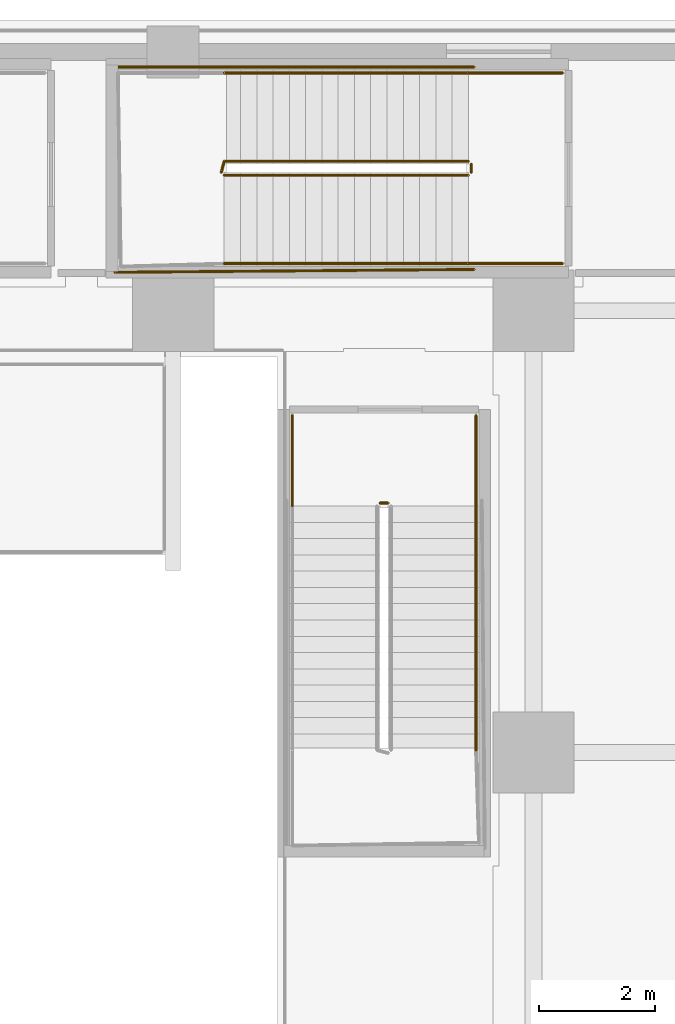
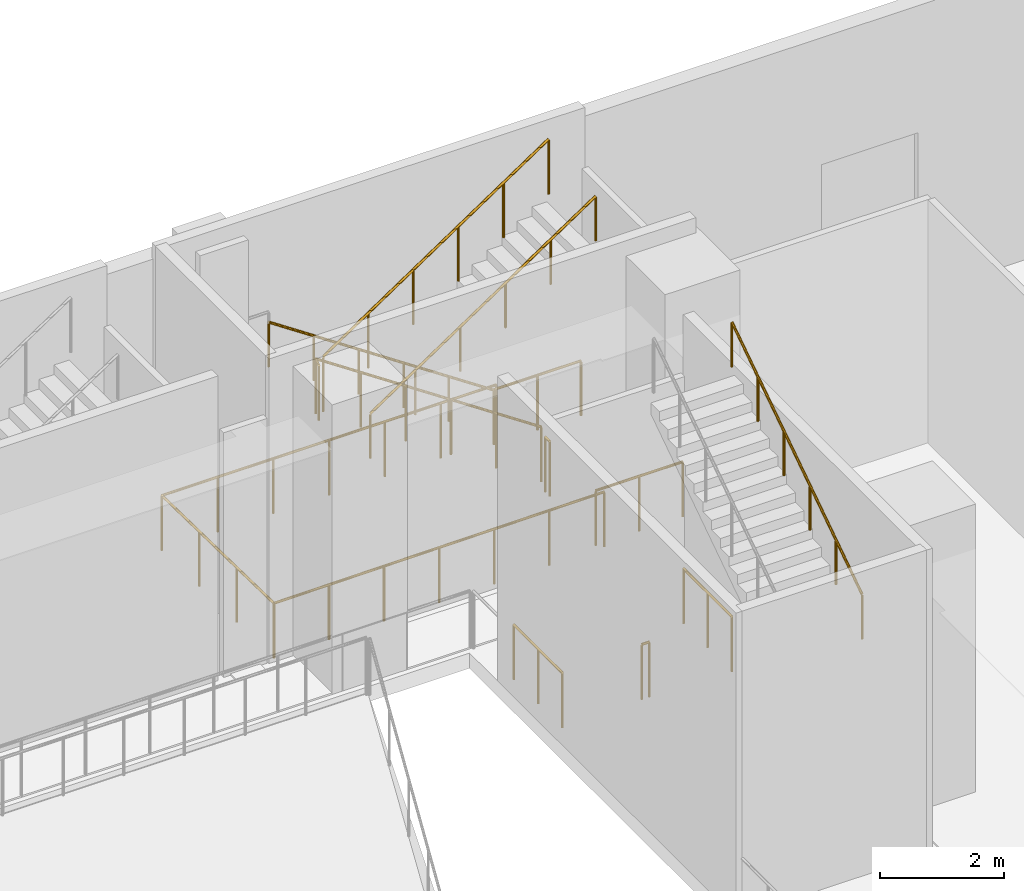
# One storey, part 30 of 30: 12 railings.
"""IFC4 building model written with IfcOpenShell, lengths in metres."""

from ifc_helpers import new_model, si_unit, direction, frame, origin, origin_2d, place, context, subcontext, project, spatial, circle, extrude, material, layer, layer_set, type_object, element, save


model = new_model("IFC4")

# Units and contexts
model_context = context("Model", 3, precision=1e-05, world=origin(), true_north=direction((0.0, 1.0)))
body_context = subcontext(model_context, "Body", "Model", "MODEL_VIEW")
ifc_project = project(units=[si_unit("LENGTHUNIT", "METRE"), si_unit("AREAUNIT", "SQUARE_METRE"), si_unit("VOLUMEUNIT", "CUBIC_METRE"), si_unit("PLANEANGLEUNIT", "RADIAN"), si_unit("MASSUNIT", "GRAM", prefix="KILO")], contexts=[model_context])

# Site, building, storey
site_placement = place(None, origin())
site = spatial("IfcSite", under=ifc_project, at=site_placement, CompositionType="ELEMENT")
building_placement = place(site_placement, origin())
building = spatial("IfcBuilding", under=site, at=building_placement, Name="Ndaravel Arena Tower", CompositionType="ELEMENT")
storey_placement = place(building_placement, frame((0.0, 0.0, 6.0)))
storey = spatial("IfcBuildingStorey", under=building, at=storey_placement, Name="L01", CompositionType="ELEMENT", Elevation=6.0)

# Railings
ifc_material_1 = material(Name="Steel S355", Category="steel")
ifc_layer_1 = layer(ifc_material_1, 0.06005859375)
ifc_layer_set_1 = layer_set([ifc_layer_1], Name="Steel S355")
railing_type_1 = type_object("IfcRailingType", Name="RAIL-STAIR-GD1100", PredefinedType="GUARDRAIL", material=ifc_layer_set_1)
railing_1_placement = place(storey_placement, frame((69.080078125, 45.570068359375, 0.1875)))
element("IfcRailing", 1, at=railing_1_placement, inside=storey, type_object=railing_type_1, Name="L01 ST-A11 stair guard 1", PredefinedType="GUARDRAIL", context=body_context, shape_type="SweptSolid", body=[
    extrude(circle(Radius=0.02392578125, at=origin_2d()), frame((0.0, 0.0, 1.076171875), z_axis=(-0.830919138977, 0.0, 0.55639319234), x_axis=(0.0, -1.0, 0.0)), (0.0, 0.0, 1.0), 5.054931640625),
    extrude(circle(Radius=0.02392578125, at=origin_2d()), frame((-4.2001953125, 0.0, 3.888671875), z_axis=(-0.253331722487, -0.967379469692, 0.0), x_axis=(0.967379469692, -0.253331722487, 0.0)), (0.0, 0.0, 1.0), 0.196533203125),
    extrude(circle(Radius=0.02099609375, at=origin_2d()), origin(), (0.0, 0.0, 1.0), 1.052001953125),
    extrude(circle(Radius=0.02099609375, at=origin_2d()), frame((-0.840087890625, 0.0, 0.5625)), (0.0, 0.0, 1.0), 1.052001953125),
    extrude(circle(Radius=0.02099609375, at=origin_2d()), frame((-1.68017578125, 0.0, 1.125)), (0.0, 0.0, 1.0), 1.052001953125),
    extrude(circle(Radius=0.02099609375, at=origin_2d()), frame((-2.52001953125, 0.0, 1.6875)), (0.0, 0.0, 1.0), 1.052001953125),
    extrude(circle(Radius=0.02099609375, at=origin_2d()), frame((-3.360107421875, 0.0, 2.25)), (0.0, 0.0, 1.0), 1.052001953125),
    extrude(circle(Radius=0.02099609375, at=origin_2d()), frame((-4.2001953125, 0.0, 2.8125)), (0.0, 0.0, 1.0), 1.052001953125),
    extrude(circle(Radius=0.02099609375, at=origin_2d()), frame((-4.25, -0.190185546875, 2.8125)), (0.0, 0.0, 1.0), 1.052001953125),
])
railing_2_placement = place(storey_placement, frame((64.8798828125, 45.330078125, 3.1875)))
element("IfcRailing", 2, at=railing_2_placement, inside=storey, type_object=railing_type_1, Name="L01 ST-A11 stair guard 3", PredefinedType="GUARDRAIL", context=body_context, shape_type="SweptSolid", body=[
    extrude(circle(Radius=0.02392578125, at=origin_2d()), frame((0.0, 0.0, 1.076171875), z_axis=(0.830919138977, 0.0, 0.55639319234), x_axis=(0.0, 1.0, 0.0)), (0.0, 0.0, 1.0), 5.054931640625),
    extrude(circle(Radius=0.02099609375, at=origin_2d()), origin(), (0.0, 0.0, 1.0), 1.052001953125),
    extrude(circle(Radius=0.02099609375, at=origin_2d()), frame((0.840087890625, 0.0, 0.5625)), (0.0, 0.0, 1.0), 1.052001953125),
    extrude(circle(Radius=0.02099609375, at=origin_2d()), frame((1.68017578125, 0.0, 1.125)), (0.0, 0.0, 1.0), 1.052001953125),
    extrude(circle(Radius=0.02099609375, at=origin_2d()), frame((2.52001953125, 0.0, 1.6875)), (0.0, 0.0, 1.0), 1.052001953125),
    extrude(circle(Radius=0.02099609375, at=origin_2d()), frame((3.360107421875, 0.0, 2.25)), (0.0, 0.0, 1.0), 1.052001953125),
    extrude(circle(Radius=0.02099609375, at=origin_2d()), frame((4.2001953125, 0.0, 2.8125)), (0.0, 0.0, 1.0), 1.052001953125),
])
railing_3_placement = place(storey_placement, frame((69.1298828125, 45.52001953125, 0.0)))
element("IfcRailing", 3, at=railing_3_placement, inside=storey, type_object=railing_type_1, Name="L01 ST-A11 stair guard 4", PredefinedType="GUARDRAIL", context=body_context, shape_type="SweptSolid", body=[
    extrude(circle(Radius=0.02392578125, at=origin_2d()), frame((0.0, 0.0, 1.076171875), z_axis=(0.0, -1.0, 0.0), x_axis=(1.0, 0.0, 0.0)), (0.0, 0.0, 1.0), 0.14013671875),
    extrude(circle(Radius=0.02099609375, at=origin_2d()), origin(), (0.0, 0.0, 1.0), 1.052001953125),
    extrude(circle(Radius=0.02099609375, at=origin_2d()), frame((0.0, -0.14013671875, 0.0)), (0.0, 0.0, 1.0), 1.052001953125),
])
for number, where, name in (
    (4, (70.699951171875, 47.090087890625, 0.0), "L01 ST-A11 stair guard 5"),
    (5, (70.699951171875, 43.81005859375, 0.0), "L01 ST-A11 stair guard 6"),
):
    element("IfcRailing", number, at=place(storey_placement, frame(where)), inside=storey, type_object=railing_type_1, Name=name, PredefinedType="GUARDRAIL", context=body_context, shape_type="SweptSolid", body=[
        extrude(circle(Radius=0.02392578125, at=origin_2d()), frame((0.0, 0.0, 1.076171875), z_axis=(-1.0, 0.0, 0.0), x_axis=(0.0, -1.0, 0.0)), (0.0, 0.0, 1.0), 1.619873046875),
        extrude(circle(Radius=0.02099609375, at=origin_2d()), origin(), (0.0, 0.0, 1.0), 1.052001953125),
        extrude(circle(Radius=0.02099609375, at=origin_2d()), frame((-0.81005859375, 0.0, 0.0)), (0.0, 0.0, 1.0), 1.052001953125),
        extrude(circle(Radius=0.02099609375, at=origin_2d()), frame((-1.619873046875, 0.0, 0.0)), (0.0, 0.0, 1.0), 1.052001953125),
    ])
railing_4_placement = place(storey_placement, frame((69.179931640625, 47.18994140625, 0.0)))
element("IfcRailing", 6, at=railing_4_placement, inside=storey, type_object=railing_type_1, Name="L01 ST-A11 stair guard 7", PredefinedType="GUARDRAIL", context=body_context, shape_type="SweptSolid", body=[
    extrude(circle(Radius=0.02392578125, at=origin_2d()), frame((0.0, 0.0, 1.076171875), z_axis=(-1.0, 0.0, 0.0), x_axis=(0.0, -1.0, 0.0)), (0.0, 0.0, 1.0), 6.22998046875),
    extrude(circle(Radius=0.02392578125, at=origin_2d()), frame((-6.22998046875, 0.0, 1.076171875), z_axis=(0.014176595818, -0.999899507016, 0.0), x_axis=(0.999899507016, 0.014176595818, 0.0)), (0.0, 0.0, 1.0), 3.5302734375),
    extrude(circle(Radius=0.02392578125, at=origin_2d()), frame((-6.179931640625, -3.530029296875, 1.076171875), z_axis=(0.999967207908, 0.008098339889, 0.0), x_axis=(-0.008098339889, 0.999967207908, 0.0)), (0.0, 0.0, 1.0), 6.18017578125),
    extrude(circle(Radius=0.02099609375, at=origin_2d()), origin(), (0.0, 0.0, 1.0), 1.052001953125),
    extrude(circle(Radius=0.02099609375, at=origin_2d()), frame((-1.038330078125, 0.0, 0.0)), (0.0, 0.0, 1.0), 1.052001953125),
    extrude(circle(Radius=0.02099609375, at=origin_2d()), frame((-2.07666015625, 0.0, 0.0)), (0.0, 0.0, 1.0), 1.052001953125),
    extrude(circle(Radius=0.02099609375, at=origin_2d()), frame((-3.114990234375, 0.0, 0.0)), (0.0, 0.0, 1.0), 1.052001953125),
    extrude(circle(Radius=0.02099609375, at=origin_2d()), frame((-4.1533203125, 0.0, 0.0)), (0.0, 0.0, 1.0), 1.052001953125),
    extrude(circle(Radius=0.02099609375, at=origin_2d()), frame((-5.191650390625, 0.0, 0.0)), (0.0, 0.0, 1.0), 1.052001953125),
    extrude(circle(Radius=0.02099609375, at=origin_2d()), frame((-6.22998046875, 0.0, 0.0)), (0.0, 0.0, 1.0), 1.052001953125),
    extrude(circle(Radius=0.02099609375, at=origin_2d()), frame((-6.21337890625, -1.1767578125, 0.0)), (0.0, 0.0, 1.0), 1.052001953125),
    extrude(circle(Radius=0.02099609375, at=origin_2d()), frame((-6.196533203125, -2.353271484375, 0.0)), (0.0, 0.0, 1.0), 1.052001953125),
    extrude(circle(Radius=0.02099609375, at=origin_2d()), frame((-6.179931640625, -3.530029296875, 0.0)), (0.0, 0.0, 1.0), 1.052001953125),
    extrude(circle(Radius=0.02099609375, at=origin_2d()), frame((-5.14990234375, -3.521728515625, 0.0)), (0.0, 0.0, 1.0), 1.052001953125),
    extrude(circle(Radius=0.02099609375, at=origin_2d()), frame((-4.119873046875, -3.513427734375, 0.0)), (0.0, 0.0, 1.0), 1.052001953125),
    extrude(circle(Radius=0.02099609375, at=origin_2d()), frame((-3.08984375, -3.5048828125, 0.0)), (0.0, 0.0, 1.0), 1.052001953125),
    extrude(circle(Radius=0.02099609375, at=origin_2d()), frame((-2.06005859375, -3.49658203125, 0.0)), (0.0, 0.0, 1.0), 1.052001953125),
    extrude(circle(Radius=0.02099609375, at=origin_2d()), frame((-1.030029296875, -3.48828125, 0.0)), (0.0, 0.0, 1.0), 1.052001953125),
    extrude(circle(Radius=0.02099609375, at=origin_2d()), frame((0.0, -3.47998046875, 0.0)), (0.0, 0.0, 1.0), 1.052001953125),
])
railing_5_placement = place(storey_placement, frame((67.56005859375, 39.68994140625, 0.0)))
element("IfcRailing", 7, at=railing_5_placement, inside=storey, type_object=railing_type_1, Name="L01 ST-VOM-4 stair guard 4", PredefinedType="GUARDRAIL", context=body_context, shape_type="SweptSolid", body=[
    extrude(circle(Radius=0.02392578125, at=origin_2d()), frame((0.0, 0.0, 1.076171875), z_axis=(1.0, 0.0, 0.0), x_axis=(0.0, 1.0, 0.0)), (0.0, 0.0, 1.0), 0.139892578125),
    extrude(circle(Radius=0.02099609375, at=origin_2d()), origin(), (0.0, 0.0, 1.0), 1.052001953125),
    extrude(circle(Radius=0.02099609375, at=origin_2d()), frame((0.139892578125, 0.0, 0.0)), (0.0, 0.0, 1.0), 1.052001953125),
])
for number, where, name in (
    (8, (66.050048828125, 41.199951171875, 0.0), "L01 ST-VOM-4 stair guard 5"),
    (9, (69.2099609375, 41.199951171875, 0.0), "L01 ST-VOM-4 stair guard 6"),
):
    element("IfcRailing", number, at=place(storey_placement, frame(where)), inside=storey, type_object=railing_type_1, Name=name, PredefinedType="GUARDRAIL", context=body_context, shape_type="SweptSolid", body=[
        extrude(circle(Radius=0.02392578125, at=origin_2d()), frame((0.0, 0.0, 1.076171875), z_axis=(0.0, -1.0, 0.0), x_axis=(1.0, 0.0, 0.0)), (0.0, 0.0, 1.0), 1.56005859375),
        extrude(circle(Radius=0.02099609375, at=origin_2d()), origin(), (0.0, 0.0, 1.0), 1.052001953125),
        extrude(circle(Radius=0.02099609375, at=origin_2d()), frame((0.0, -0.780029296875, 0.0)), (0.0, 0.0, 1.0), 1.052001953125),
        extrude(circle(Radius=0.02099609375, at=origin_2d()), frame((0.0, -1.56005859375, 0.0)), (0.0, 0.0, 1.0), 1.052001953125),
    ])
ifc_material_2 = material(Name="Steel S355", Category="steel")
ifc_layer_2 = layer(ifc_material_2, 0.050048828125)
ifc_layer_set_2 = layer_set([ifc_layer_2], Name="Steel S355")
railing_type_2 = type_object("IfcRailingType", Name="RAIL-STAIR-HR920", PredefinedType="HANDRAIL", material=ifc_layer_set_2)
railing_6_placement = place(storey_placement, frame((69.080078125, 47.090087890625, 0.1875)))
element("IfcRailing", 10, at=railing_6_placement, inside=storey, type_object=railing_type_2, Name="L01 ST-A11 stair handrail 1", PredefinedType="HANDRAIL", context=body_context, shape_type="SweptSolid", body=[
    extrude(circle(Radius=0.02392578125, at=origin_2d()), frame((0.0, 0.0, 0.8759765625), z_axis=(-0.830919138977, 0.0, 0.55639319234), x_axis=(0.0, -1.0, 0.0)), (0.0, 0.0, 1.0), 5.054931640625),
    extrude(circle(Radius=0.02099609375, at=origin_2d()), origin(), (0.0, 0.0, 1.0), 0.851806640625),
    extrude(circle(Radius=0.02099609375, at=origin_2d()), frame((-0.840087890625, 0.0, 0.5625)), (0.0, 0.0, 1.0), 0.851806640625),
    extrude(circle(Radius=0.02099609375, at=origin_2d()), frame((-1.68017578125, 0.0, 1.125)), (0.0, 0.0, 1.0), 0.851806640625),
    extrude(circle(Radius=0.02099609375, at=origin_2d()), frame((-2.52001953125, 0.0, 1.6875)), (0.0, 0.0, 1.0), 0.851806640625),
    extrude(circle(Radius=0.02099609375, at=origin_2d()), frame((-3.360107421875, 0.0, 2.25)), (0.0, 0.0, 1.0), 0.851806640625),
    extrude(circle(Radius=0.02099609375, at=origin_2d()), frame((-4.2001953125, 0.0, 2.8125)), (0.0, 0.0, 1.0), 0.851806640625),
])
railing_7_placement = place(storey_placement, frame((64.8798828125, 43.81005859375, 3.1875)))
element("IfcRailing", 11, at=railing_7_placement, inside=storey, type_object=railing_type_2, Name="L01 ST-A11 stair handrail 2", PredefinedType="HANDRAIL", context=body_context, shape_type="SweptSolid", body=[
    extrude(circle(Radius=0.02392578125, at=origin_2d()), frame((0.0, 0.0, 0.8759765625), z_axis=(0.830919138977, 0.0, 0.55639319234), x_axis=(0.0, 1.0, 0.0)), (0.0, 0.0, 1.0), 5.054931640625),
    extrude(circle(Radius=0.02099609375, at=origin_2d()), origin(), (0.0, 0.0, 1.0), 0.851806640625),
    extrude(circle(Radius=0.02099609375, at=origin_2d()), frame((0.840087890625, 0.0, 0.5625)), (0.0, 0.0, 1.0), 0.851806640625),
    extrude(circle(Radius=0.02099609375, at=origin_2d()), frame((1.68017578125, 0.0, 1.125)), (0.0, 0.0, 1.0), 0.851806640625),
    extrude(circle(Radius=0.02099609375, at=origin_2d()), frame((2.52001953125, 0.0, 1.6875)), (0.0, 0.0, 1.0), 0.851806640625),
    extrude(circle(Radius=0.02099609375, at=origin_2d()), frame((3.360107421875, 0.0, 2.25)), (0.0, 0.0, 1.0), 0.851806640625),
    extrude(circle(Radius=0.02099609375, at=origin_2d()), frame((4.2001953125, 0.0, 2.8125)), (0.0, 0.0, 1.0), 0.851806640625),
])
railing_8_placement = place(storey_placement, frame((69.2099609375, 35.43994140625, 3.1875)))
element("IfcRailing", 12, at=railing_8_placement, inside=storey, type_object=railing_type_2, Name="L01 ST-VOM-4 stair handrail 2", PredefinedType="HANDRAIL", context=body_context, shape_type="SweptSolid", body=[
    extrude(circle(Radius=0.02392578125, at=origin_2d()), frame((0.0, 0.0, 0.8759765625), z_axis=(0.0, 0.830904186295, 0.556415522067), x_axis=(-1.0, 0.0, 0.0)), (0.0, 0.0, 1.0), 5.0546875),
    extrude(circle(Radius=0.02099609375, at=origin_2d()), origin(), (0.0, 0.0, 1.0), 0.851806640625),
    extrude(circle(Radius=0.02099609375, at=origin_2d()), frame((0.0, 0.840087890625, 0.5625)), (0.0, 0.0, 1.0), 0.851806640625),
    extrude(circle(Radius=0.02099609375, at=origin_2d()), frame((0.0, 1.679931640625, 1.125)), (0.0, 0.0, 1.0), 0.851806640625),
    extrude(circle(Radius=0.02099609375, at=origin_2d()), frame((0.0, 2.52001953125, 1.6875)), (0.0, 0.0, 1.0), 0.851806640625),
    extrude(circle(Radius=0.02099609375, at=origin_2d()), frame((0.0, 3.35986328125, 2.25)), (0.0, 0.0, 1.0), 0.851806640625),
    extrude(circle(Radius=0.02099609375, at=origin_2d()), frame((0.0, 4.199951171875, 2.8125)), (0.0, 0.0, 1.0), 0.851806640625),
])

save(model, "model.ifc")
